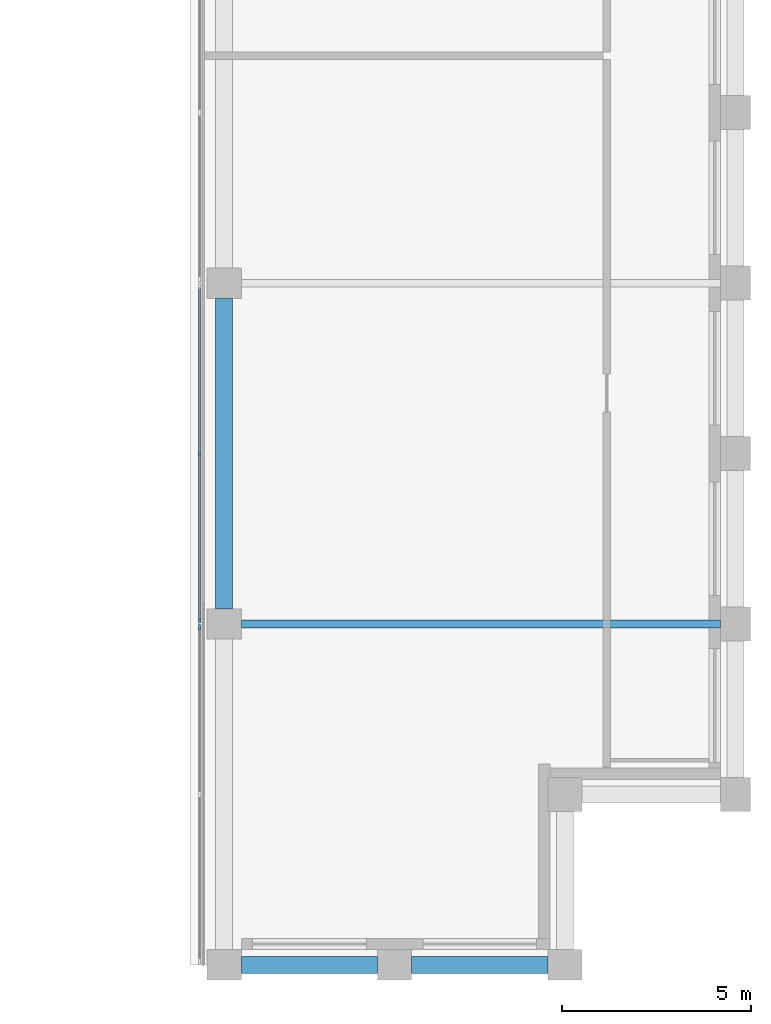
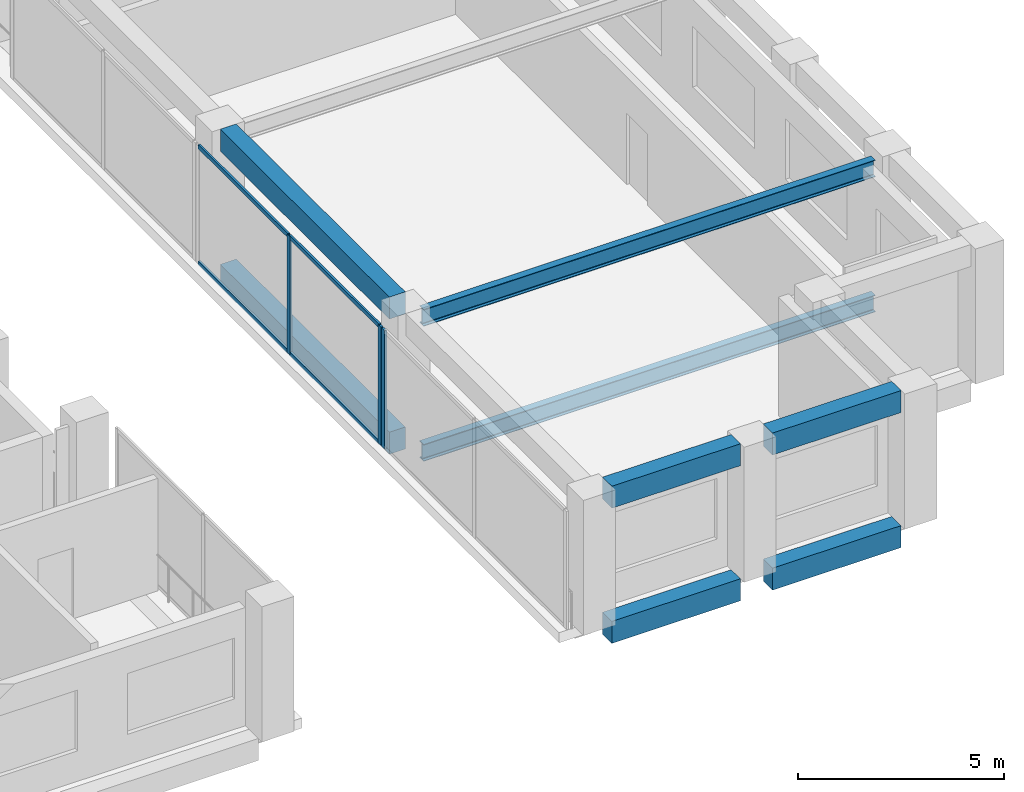
# One storey, part 3 of 9: 8 beams, 7 members, 2 elements without a shape of their own.
"""IFC4 building model written with IfcOpenShell, lengths in metres."""

from ifc_helpers import new_model, si_unit, direction, frame, origin, origin_2d, place, context, subcontext, project, spatial, rectangle, i_section, extrude, material, material_profile, profile_set, type_object, element, aggregate, save


model = new_model("IFC4")

# Units and contexts
model_context = context("Model", 3, precision=1e-05, world=origin(), true_north=direction((0.0, 1.0)))
body_context = subcontext(model_context, "Body", "Model", "MODEL_VIEW")
ifc_project = project(units=[si_unit("LENGTHUNIT", "METRE"), si_unit("AREAUNIT", "SQUARE_METRE"), si_unit("VOLUMEUNIT", "CUBIC_METRE"), si_unit("PLANEANGLEUNIT", "RADIAN"), si_unit("MASSUNIT", "GRAM", prefix="KILO")], contexts=[model_context])

# Site, building, storey
site_placement = place(None, origin())
site = spatial("IfcSite", under=ifc_project, at=site_placement, CompositionType="ELEMENT")
building_placement = place(site_placement, origin())
building = spatial("IfcBuilding", under=site, at=building_placement, Name="Brondeck Convention Tower", CompositionType="ELEMENT")
storey_placement = place(building_placement, frame((0.0, 0.0, 294.800048828125)))
storey = spatial("IfcBuildingStorey", under=building, at=storey_placement, Name="L73", CompositionType="ELEMENT", Elevation=294.800048828125)

# Curtain wall, members
ifc_material_1 = material(Name="Aluminium, bronze anodised", Category="aluminium")
curtain_wall_type = type_object("IfcCurtainWallType", Name="Crown screen curtain wall", PredefinedType="NOTDEFINED", material=ifc_material_1)
curtain_wall_1_placement = place(storey_placement, origin())
curtain_wall_1 = element("IfcCurtainWall", 1, at=curtain_wall_1_placement, inside=storey, type_object=curtain_wall_type, Name="ENV-CW4-L73-K2-SLOT-E-05", PredefinedType="NOTDEFINED")
ifc_material_profile_1 = material_profile(ifc_material_1, rectangle(XDim=0.06005859375, YDim=0.139892578125, at=origin_2d()), Name="CW4 mullion")
ifc_profile_set_1 = profile_set([ifc_material_profile_1], Name="Aluminium, bronze anodised")
member_type_1 = type_object("IfcMemberType", Name="CW4 mullion", PredefinedType="MULLION", material=ifc_profile_set_1)
member_1_placement = place(storey_placement, frame((21.85009765625, 36.090087890625, 0.0), z_axis=(0.0, 0.0, 1.0), x_axis=(-1.0, 0.0, 0.0)))
member_1 = element("IfcMember", 2, at=member_1_placement, type_object=member_type_1, Name="CW4 mullion 1", PredefinedType="MULLION", context=body_context, shape_type="SweptSolid", body=[
    extrude(rectangle(XDim=0.06005859375, YDim=0.139892578125, at=origin_2d()), origin(), (0.0, 0.0, 1.0), 3.5),
])
member_2_placement = place(storey_placement, frame((21.85009765625, 40.5, 0.0), z_axis=(0.0, 0.0, 1.0), x_axis=(-1.0, 0.0, 0.0)))
member_2 = element("IfcMember", 3, at=member_2_placement, type_object=member_type_1, Name="CW4 mullion 2", PredefinedType="MULLION", context=body_context, shape_type="SweptSolid", body=[
    extrude(rectangle(XDim=0.06005859375, YDim=0.139892578125, at=origin_2d()), origin(), (0.0, 0.0, 1.0), 3.5),
])

# Curtain wall, member
curtain_wall_2_placement = place(storey_placement, origin())
curtain_wall_2 = element("IfcCurtainWall", 4, at=curtain_wall_2_placement, inside=storey, type_object=curtain_wall_type, Name="ENV-CW4-L73-K2-SLOT-E-07-1", PredefinedType="NOTDEFINED")
member_3_placement = place(storey_placement, frame((21.85009765625, 35.909912109375, 0.0), z_axis=(0.0, 0.0, 1.0), x_axis=(-1.0, 0.0, 0.0)))
member_3 = element("IfcMember", 5, at=member_3_placement, type_object=member_type_1, Name="CW4 mullion 3", PredefinedType="MULLION", context=body_context, shape_type="SweptSolid", body=[
    extrude(rectangle(XDim=0.06005859375, YDim=0.139892578125, at=origin_2d()), origin(), (0.0, 0.0, 1.0), 3.5),
])
aggregate(curtain_wall_2, [member_3])

# Member
ifc_material_profile_2 = material_profile(ifc_material_1, rectangle(XDim=0.06005859375, YDim=0.1201171875, at=origin_2d()), Name="CW4 transom")
ifc_profile_set_2 = profile_set([ifc_material_profile_2], Name="Aluminium, bronze anodised")
member_type_2 = type_object("IfcMemberType", Name="CW4 transom", PredefinedType="USERDEFINED", material=ifc_profile_set_2)
member_4_placement = place(storey_placement, frame((21.85009765625, 36.1201171875, 0.030029296875), z_axis=(0.0, 1.0, 0.0), x_axis=(-1.0, 0.0, 0.0)))
member_4 = element("IfcMember", 6, at=member_4_placement, type_object=member_type_2, Name="CW4 transom 1.1", ObjectType="TRANSOM", PredefinedType="USERDEFINED", context=body_context, shape_type="SweptSolid", body=[
    extrude(rectangle(XDim=0.06005859375, YDim=0.1201171875, at=origin_2d()), origin(), (0.0, 0.0, 1.0), 4.349853515625),
])

member_5_placement = place(storey_placement, frame((21.85009765625, 36.1201171875, 3.469970703125), z_axis=(0.0, 1.0, 0.0), x_axis=(-1.0, 0.0, 0.0)))
member_5 = element("IfcMember", 7, at=member_5_placement, type_object=member_type_2, Name="CW4 transom 1.2", ObjectType="TRANSOM", PredefinedType="USERDEFINED", context=body_context, shape_type="SweptSolid", body=[
    extrude(rectangle(XDim=0.06005859375, YDim=0.1201171875, at=origin_2d()), origin(), (0.0, 0.0, 1.0), 4.349853515625),
])

member_6_placement = place(storey_placement, frame((21.85009765625, 40.530029296875, 0.030029296875), z_axis=(0.0, 1.0, 0.0), x_axis=(-1.0, 0.0, 0.0)))
member_6 = element("IfcMember", 8, at=member_6_placement, type_object=member_type_2, Name="CW4 transom 2.1", ObjectType="TRANSOM", PredefinedType="USERDEFINED", context=body_context, shape_type="SweptSolid", body=[
    extrude(rectangle(XDim=0.06005859375, YDim=0.1201171875, at=origin_2d()), origin(), (0.0, 0.0, 1.0), 4.349853515625),
])

member_7_placement = place(storey_placement, frame((21.85009765625, 40.530029296875, 3.469970703125), z_axis=(0.0, 1.0, 0.0), x_axis=(-1.0, 0.0, 0.0)))
member_7 = element("IfcMember", 9, at=member_7_placement, type_object=member_type_2, Name="CW4 transom 2.2", ObjectType="TRANSOM", PredefinedType="USERDEFINED", context=body_context, shape_type="SweptSolid", body=[
    extrude(rectangle(XDim=0.06005859375, YDim=0.1201171875, at=origin_2d()), origin(), (0.0, 0.0, 1.0), 4.349853515625),
])

aggregate(curtain_wall_1, [member_1, member_2, member_4, member_5, member_6, member_7])

# Beams
ifc_material_2 = material(Name="Steel S355", Category="steel")
ifc_material_profile_3 = material_profile(ifc_material_2, i_section(OverallWidth=0.199951171875, OverallDepth=0.5, WebThickness=0.01025390625, FlangeThickness=0.01611328125, FilletRadius=0.02099609375, at=origin_2d()), Name="IPE 500")
ifc_profile_set_3 = profile_set([ifc_material_profile_3], Name="Steel S355")
beam_type_1 = type_object("IfcBeamType", Name="Crown frame Floor beam IPE 500", PredefinedType="BEAM", material=ifc_profile_set_3)
for number, where, z_axis, x_axis, name in (
    (10, (22.949951171875, 36.0, -0.550048828125), (1.0, 0.0, 0.0), (0.0, 1.0, 0.0), "STR-FB-L73K2-001"),
    (11, (22.949951171875, 36.0, 3.449951171875), (1.0, 0.0, 0.0), (0.0, 1.0, 0.0), "STR-FB-L73RP2-001"),
):
    element("IfcBeam", number, at=place(storey_placement, frame(where, z_axis=z_axis, x_axis=x_axis)), inside=storey, type_object=beam_type_1, Name=name, PredefinedType="BEAM", context=body_context, shape_type="SweptSolid", body=[
        extrude(i_section(OverallWidth=0.199951171875, OverallDepth=0.5, WebThickness=0.01025390625, FlangeThickness=0.01611328125, FilletRadius=0.02099609375, at=origin_2d()), origin(), (0.0, 0.0, 1.0), 12.650146484375),
    ])
ifc_material_3 = material(Name="Concrete C50/60", Category="concrete")
ifc_material_profile_4 = material_profile(ifc_material_3, rectangle(XDim=0.449951171875, YDim=0.64990234375, at=origin_2d()), Name="Precast spandrel 450x650 Concrete C50/60")
ifc_profile_set_4 = profile_set([ifc_material_profile_4], Name="Concrete C50/60")
beam_type_2 = type_object("IfcBeamType", Name="Precast spandrel 450x650 Concrete C50/60", PredefinedType="SPANDREL", material=ifc_profile_set_4)
for number, where, z_axis, x_axis, name in (
    (12, (22.949951171875, 27.0, -0.324951171875), (1.0, 0.0, 0.0), (0.0, 1.0, 0.0), "STR-SP-L73K2-001"),
    (13, (27.449951171875, 27.0, -0.324951171875), (1.0, 0.0, 0.0), (0.0, 1.0, 0.0), "STR-SP-L73K2-002"),
):
    element("IfcBeam", number, at=place(storey_placement, frame(where, z_axis=z_axis, x_axis=x_axis)), inside=storey, type_object=beam_type_2, Name=name, PredefinedType="SPANDREL", context=body_context, shape_type="SweptSolid", body=[
        extrude(rectangle(XDim=0.449951171875, YDim=0.64990234375, at=origin_2d()), origin(), (0.0, 0.0, 1.0), 3.60009765625),
    ])
beam_1_placement = place(storey_placement, frame((22.5, 44.60009765625, -0.324951171875), z_axis=(0.0, -1.0, 0.0), x_axis=(1.0, 0.0, 0.0)))
element("IfcBeam", 14, at=beam_1_placement, inside=storey, type_object=beam_type_2, Name="STR-SP-L73K2-016", PredefinedType="SPANDREL", context=body_context, shape_type="SweptSolid", body=[
    extrude(rectangle(XDim=0.449951171875, YDim=0.64990234375, at=origin_2d()), origin(), (0.0, 0.0, 1.0), 8.2001953125),
])
for number, where, z_axis, x_axis, name in (
    (15, (22.949951171875, 27.0, 3.675048828125), (1.0, 0.0, 0.0), (0.0, 1.0, 0.0), "STR-SP-L73RP2-001"),
    (16, (27.449951171875, 27.0, 3.675048828125), (1.0, 0.0, 0.0), (0.0, 1.0, 0.0), "STR-SP-L73RP2-002"),
):
    element("IfcBeam", number, at=place(storey_placement, frame(where, z_axis=z_axis, x_axis=x_axis)), inside=storey, type_object=beam_type_2, Name=name, PredefinedType="SPANDREL", context=body_context, shape_type="SweptSolid", body=[
        extrude(rectangle(XDim=0.449951171875, YDim=0.64990234375, at=origin_2d()), origin(), (0.0, 0.0, 1.0), 3.60009765625),
    ])
beam_2_placement = place(storey_placement, frame((22.5, 44.60009765625, 3.675048828125), z_axis=(0.0, -1.0, 0.0), x_axis=(1.0, 0.0, 0.0)))
element("IfcBeam", 17, at=beam_2_placement, inside=storey, type_object=beam_type_2, Name="STR-SP-L73RP2-016", PredefinedType="SPANDREL", context=body_context, shape_type="SweptSolid", body=[
    extrude(rectangle(XDim=0.449951171875, YDim=0.64990234375, at=origin_2d()), origin(), (0.0, 0.0, 1.0), 8.2001953125),
])

save(model, "model.ifc")
